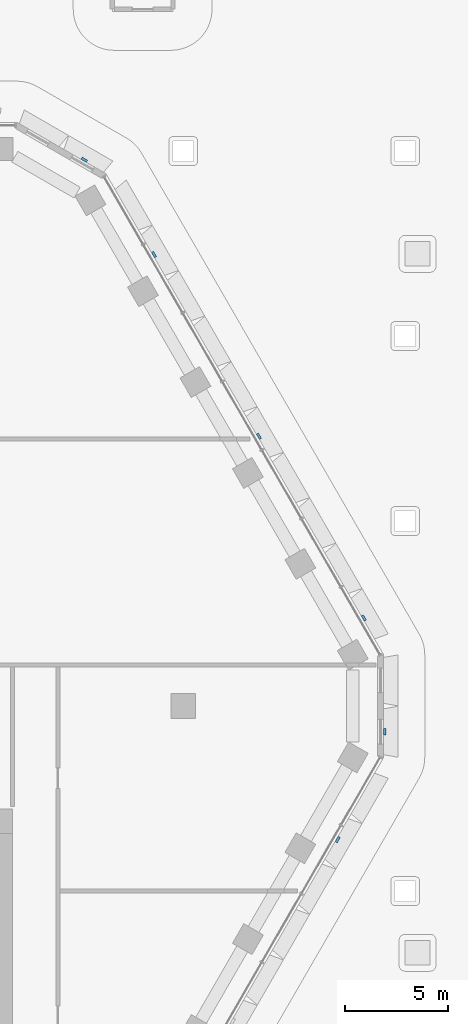
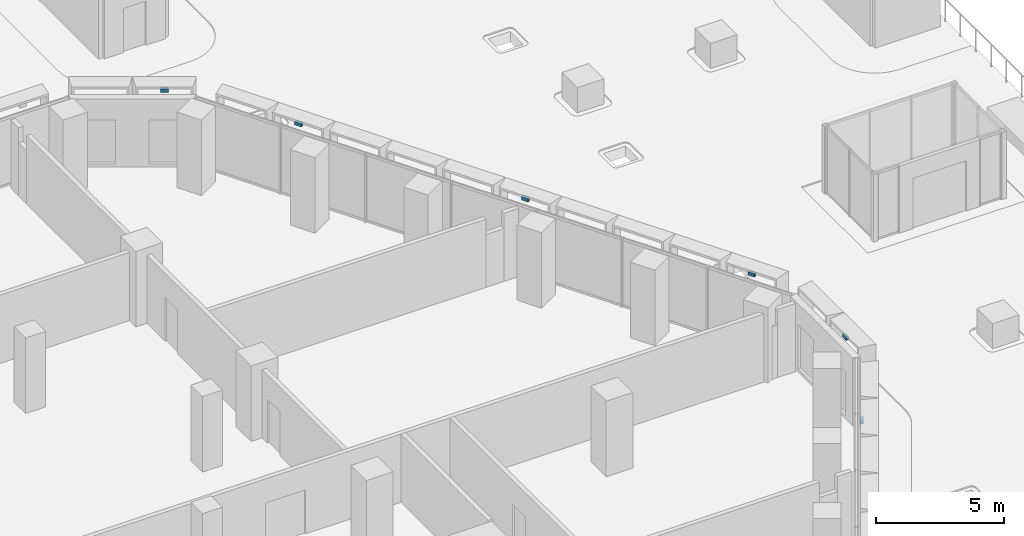
# One storey, part 28 of 38: 6 discrete accessories.
"""IFC4 building model written with IfcOpenShell, lengths in metres."""

from ifc_helpers import new_model, si_unit, direction, frame, origin, place, context, subcontext, project, spatial, polyline, outline, extrude, source, transform, mapped, material, type_object, type_shapes, element, save


model = new_model("IFC4")

# Units and contexts
model_context = context("Model", 3, precision=1e-05, world=origin(), true_north=direction((0.0, 1.0)))
body_context = subcontext(model_context, "Body", "Model", "MODEL_VIEW")
ifc_project = project(units=[si_unit("LENGTHUNIT", "METRE"), si_unit("AREAUNIT", "SQUARE_METRE"), si_unit("VOLUMEUNIT", "CUBIC_METRE"), si_unit("PLANEANGLEUNIT", "RADIAN"), si_unit("MASSUNIT", "GRAM", prefix="KILO")], contexts=[model_context])

# Site, building, storey
site_placement = place(None, origin())
site = spatial("IfcSite", under=ifc_project, at=site_placement, CompositionType="ELEMENT")
building_placement = place(site_placement, origin())
building = spatial("IfcBuilding", under=site, at=building_placement, Name="Beryl Residences", CompositionType="ELEMENT")
storey_placement = place(building_placement, frame((0.0, 0.0, 9.0)))
storey = spatial("IfcBuildingStorey", under=building, at=storey_placement, Name="L02", CompositionType="ELEMENT", Elevation=9.0)

# Discrete accessories
ifc_material = material(Name="Steel S355", Category="steel")
discrete_accessory_type = type_object("IfcDiscreteAccessoryType", Name="BR1 frame bracket 300 x 120 x 150 mm", PredefinedType="BRACKET", material=ifc_material)
shared_shape = source(origin(), body_context, "Body", "SweptSolid", [
    extrude(outline(polyline([(-0.14990234375, 0.0), (0.14990234375, 0.0), (0.14990234375, 0.1201171875), (-0.14990234375, 0.1201171875), (-0.14990234375, 0.0)])), origin(), (0.0, 0.0, 1.0), 0.14990234375),
])
type_shapes(discrete_accessory_type, [shared_shape])
for number, where, z_axis, x_axis, name in (
    (1, (29.06103515625, -6.464111328125, 3.35009765625), (0.0, 0.0, 1.0), (-0.5, -0.866025403784, 0.0), "BR1 bracket L02 SE 9"),
    (2, (31.35009765625, -1.25, 3.35009765625), (0.0, 0.0, 1.0), (0.0, -1.0, 0.0), "BR1 bracket L02 SE-NE 1"),
    (3, (30.3359375, 4.2548828125, 3.35009765625), (0.0, 0.0, 1.0), (0.5, -0.866025403784, 0.0), "BR1 bracket L02 NE 1"),
    (4, (25.23193359375, 13.095947265625, 3.35009765625), (0.0, 0.0, 1.0), (0.5, -0.866025403784, 0.0), "BR1 bracket L02 NE 5"),
    (5, (20.12890625, 21.93603515625, 3.35009765625), (0.0, 0.0, 1.0), (0.5, -0.866025403784, 0.0), "BR1 bracket L02 NE 9"),
    (6, (16.758056640625, 26.52490234375, 3.35009765625), (0.0, 0.0, 1.0), (0.866025403784, -0.5, 0.0), "BR1 bracket L02 NE-N 1"),
):
    element("IfcDiscreteAccessory", number, at=place(storey_placement, frame(where, z_axis=z_axis, x_axis=x_axis)), inside=storey, type_object=discrete_accessory_type, Name=name, PredefinedType="BRACKET", context=body_context, shape_type="MappedRepresentation", body=[
        mapped(shared_shape, transform((0.0, 0.0, 0.0))),
    ])

save(model, "model.ifc")
